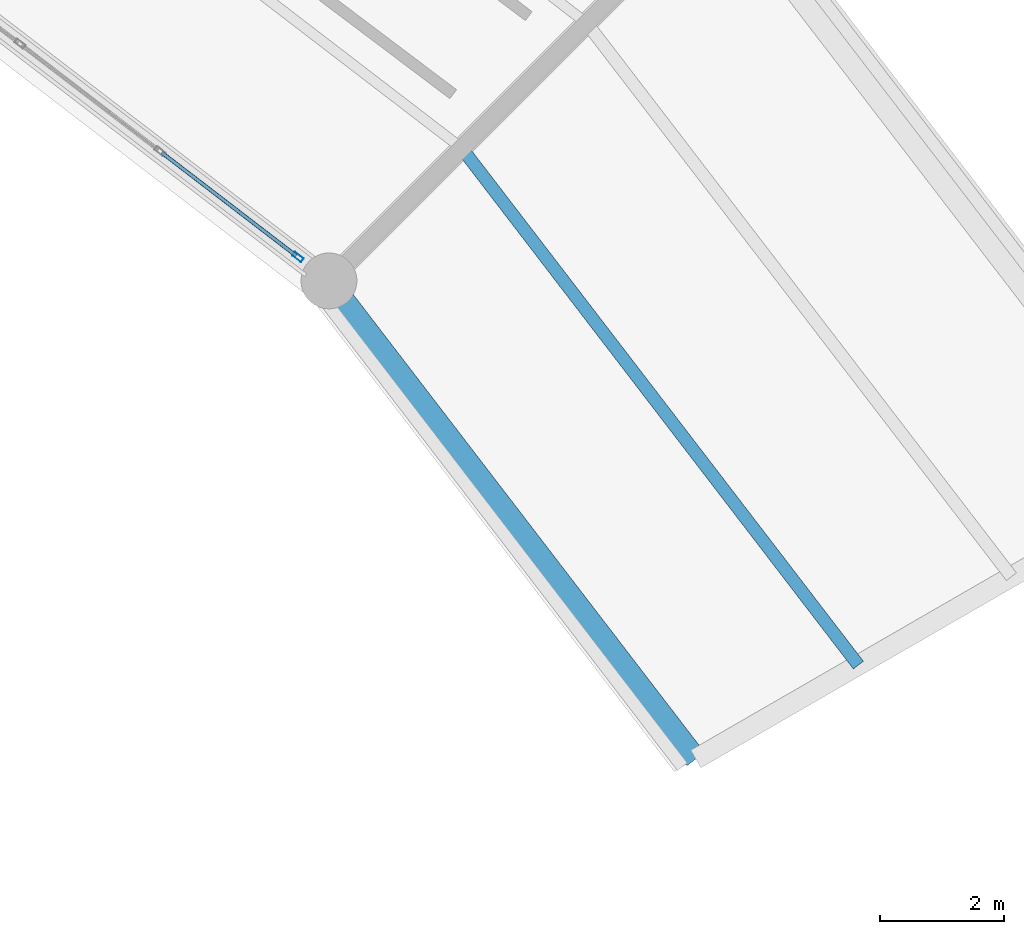
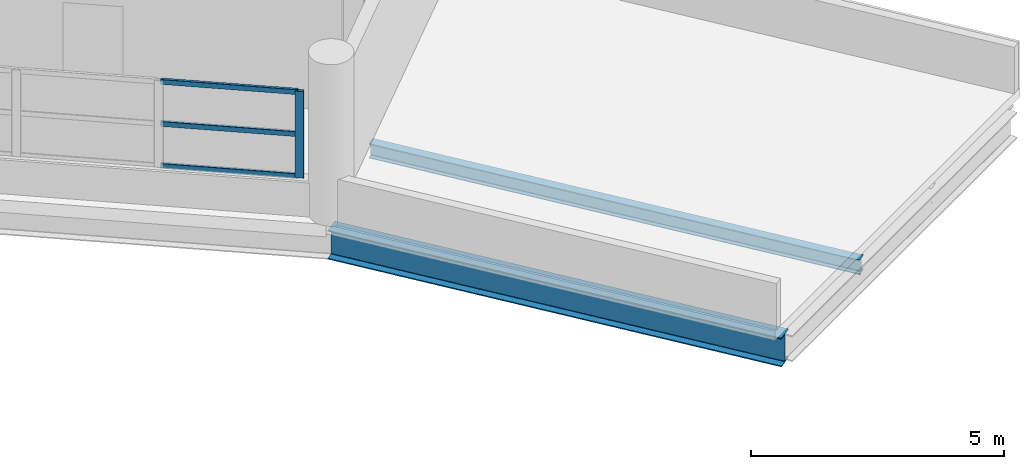
# One storey, part 46 of 88: 4 members, 2 beams, 1 element without a shape of its own.
"""IFC4 building model written with IfcOpenShell, lengths in metres."""

from ifc_helpers import new_model, si_unit, direction, frame, origin, origin_2d, place, context, subcontext, project, spatial, hollow_rectangle, i_section, extrude, material, layer, layer_set, material_profile, profile_set, type_object, element, aggregate, save


model = new_model("IFC4")

# Units and contexts
model_context = context("Model", 3, precision=1e-05, world=origin(), true_north=direction((0.0, 1.0)))
body_context = subcontext(model_context, "Body", "Model", "MODEL_VIEW")
ifc_project = project(units=[si_unit("LENGTHUNIT", "METRE"), si_unit("AREAUNIT", "SQUARE_METRE"), si_unit("VOLUMEUNIT", "CUBIC_METRE"), si_unit("PLANEANGLEUNIT", "RADIAN"), si_unit("MASSUNIT", "GRAM", prefix="KILO")], contexts=[model_context])

# Site, building, storey
site_placement = place(None, origin())
site = spatial("IfcSite", under=ifc_project, at=site_placement, CompositionType="ELEMENT")
building_placement = place(site_placement, origin())
building = spatial("IfcBuilding", under=site, at=building_placement, Name="Vespera Passage Community Centre", CompositionType="ELEMENT")
storey_placement = place(building_placement, frame((0.0, 0.0, 16.5)))
storey = spatial("IfcBuildingStorey", under=building, at=storey_placement, Name="L04", CompositionType="ELEMENT", Elevation=16.5)

# Beams
ifc_material_1 = material(Name="Steel ASTM A992 Grade 50", Category="steel")
ifc_material_profile_1 = material_profile(ifc_material_1, i_section(OverallWidth=0.2041015625, OverallDepth=0.3505859375, WebThickness=0.008544921875, FlangeThickness=0.01513671875, FilletRadius=0.01513671875, at=origin_2d()), Name="W14X48")
ifc_profile_set_1 = profile_set([ifc_material_profile_1], Name="Steel ASTM A992 Grade 50")
beam_type_1 = type_object("IfcBeamType", Name="BM-J-W14X48", PredefinedType="JOIST", material=ifc_profile_set_1)
beam_1_placement = place(storey_placement, frame((112.836669921875, 85.613037109375, -0.47509765625), z_axis=(-0.608757534533, 0.793356328613, 0.0), x_axis=(-0.793356328613, -0.608757534533, 0.0)))
element("IfcBeam", 1, at=beam_1_placement, inside=storey, type_object=beam_type_1, Name="V4 L04 Floor Joist 2.1", PredefinedType="JOIST", context=body_context, shape_type="SweptSolid", body=[
    extrude(i_section(OverallWidth=0.2041015625, OverallDepth=0.3505859375, WebThickness=0.008544921875, FlangeThickness=0.01513671875, FilletRadius=0.01513671875, at=origin_2d()), origin(), (0.0, 0.0, 1.0), 10.5009765625),
])
ifc_material_2 = material(Name="Steel ASTM A992 Grade 50", Category="steel")
ifc_material_profile_2 = material_profile(ifc_material_2, i_section(OverallWidth=0.3544921875, OverallDepth=0.695556640625, WebThickness=0.015380859375, FlangeThickness=0.024658203125, FilletRadius=0.01513671875, at=origin_2d()), Name="W27X146")
ifc_profile_set_2 = profile_set([ifc_material_profile_2], Name="Steel ASTM A992 Grade 50")
beam_type_2 = type_object("IfcBeamType", Name="BM-SP-W27X146E", PredefinedType="SPANDREL", material=ifc_profile_set_2)
beam_2_placement = place(storey_placement, frame((110.216064453125, 84.10009765625, -0.647705078125), z_axis=(-0.60875291963, 0.793359869694, 0.0), x_axis=(-0.793359869694, -0.60875291963, 0.0)))
element("IfcBeam", 2, at=beam_2_placement, inside=storey, type_object=beam_type_2, Name="V4 L04 Inner Spandrel 2", PredefinedType="SPANDREL", context=body_context, shape_type="SweptSolid", body=[
    extrude(i_section(OverallWidth=0.3544921875, OverallDepth=0.695556640625, WebThickness=0.015380859375, FlangeThickness=0.024658203125, FilletRadius=0.01513671875, at=origin_2d()), origin(), (0.0, 0.0, 1.0), 9.7109375),
])

# Curtain wall, members
ifc_material_3 = material(Name="Anodized aluminium 6063-T6", Category="aluminium")
ifc_layer = layer(ifc_material_3, 0.159912109375)
ifc_layer_set = layer_set([ifc_layer], Name="Anodized aluminium 6063-T6")
curtain_wall_type = type_object("IfcCurtainWallType", Name="CW-54E", PredefinedType="NOTDEFINED", material=ifc_layer_set)
curtain_wall_placement = place(storey_placement, origin())
curtain_wall = element("IfcCurtainWall", 3, at=curtain_wall_placement, inside=storey, type_object=curtain_wall_type, Name="V4 L04 Inner Court Curtain Wall 3", PredefinedType="NOTDEFINED")
ifc_material_4 = material(Name="Anodized aluminium 6063-T6", Category="aluminium")
ifc_material_profile_3 = material_profile(ifc_material_4, hollow_rectangle(XDim=0.074951171875, YDim=0.179931640625, WallThickness=0.0048828125, InnerFilletRadius=0.00244140625, OuterFilletRadius=0.0048828125, at=origin_2d()), Name="ALU180X75X5")
ifc_profile_set_3 = profile_set([ifc_material_profile_3], Name="Anodized aluminium 6063-T6")
member_type_1 = type_object("IfcMemberType", Name="MB-CWM-180E", PredefinedType="MULLION", material=ifc_profile_set_3)
member_1_placement = place(storey_placement, frame((103.803955078125, 92.188232421875, 0.820068359375), z_axis=(0.0, 0.0, 1.0), x_axis=(-0.608755087843, -0.793358205999, 0.0)))
member_1 = element("IfcMember", 4, at=member_1_placement, type_object=member_type_1, Name="CW-54E mullion 1", PredefinedType="MULLION", context=body_context, shape_type="SweptSolid", body=[
    extrude(hollow_rectangle(XDim=0.074951171875, YDim=0.179931640625, WallThickness=0.0048828125, InnerFilletRadius=0.00244140625, OuterFilletRadius=0.0048828125, at=origin_2d()), origin(), (0.0, 0.0, 1.0), 2.08935546875),
])
ifc_material_5 = material(Name="Anodized aluminium 6063-T6", Category="aluminium")
ifc_material_profile_4 = material_profile(ifc_material_5, hollow_rectangle(XDim=0.06005859375, YDim=0.1201171875, WallThickness=0.00390625, InnerFilletRadius=0.001953125, OuterFilletRadius=0.00390625, at=origin_2d()), Name="ALU120X60X4")
ifc_profile_set_4 = profile_set([ifc_material_profile_4], Name="Anodized aluminium 6063-T6")
member_type_2 = type_object("IfcMemberType", Name="MB-CWT-120E", PredefinedType="USERDEFINED", material=ifc_profile_set_4)
member_2_placement = place(storey_placement, frame((103.7744140625, 92.211181640625, 0.85009765625), z_axis=(-0.793371617318, 0.608737609183, 0.0), x_axis=(-0.608737609183, -0.793371617318, 0.0)))
member_2 = element("IfcMember", 5, at=member_2_placement, type_object=member_type_2, Name="CW-54E transom 1.1", ObjectType="TRANSOM", PredefinedType="USERDEFINED", context=body_context, shape_type="SweptSolid", body=[
    extrude(hollow_rectangle(XDim=0.06005859375, YDim=0.1201171875, WallThickness=0.00390625, InnerFilletRadius=0.001953125, OuterFilletRadius=0.00390625, at=origin_2d()), origin(), (0.0, 0.0, 1.0), 2.729248046875),
])
member_3_placement = place(storey_placement, frame((103.7744140625, 92.211181640625, 1.86474609375), z_axis=(-0.793371617318, 0.608737609183, 0.0), x_axis=(-0.608737609183, -0.793371617318, 0.0)))
member_3 = element("IfcMember", 6, at=member_3_placement, type_object=member_type_2, Name="CW-54E transom 1.2", ObjectType="TRANSOM", PredefinedType="USERDEFINED", context=body_context, shape_type="SweptSolid", body=[
    extrude(hollow_rectangle(XDim=0.06005859375, YDim=0.1201171875, WallThickness=0.00390625, InnerFilletRadius=0.001953125, OuterFilletRadius=0.00390625, at=origin_2d()), origin(), (0.0, 0.0, 1.0), 2.729248046875),
])
member_4_placement = place(storey_placement, frame((103.7744140625, 92.211181640625, 2.87939453125), z_axis=(-0.793371617318, 0.608737609183, 0.0), x_axis=(-0.608737609183, -0.793371617318, 0.0)))
member_4 = element("IfcMember", 7, at=member_4_placement, type_object=member_type_2, Name="CW-54E transom 1.3", ObjectType="TRANSOM", PredefinedType="USERDEFINED", context=body_context, shape_type="SweptSolid", body=[
    extrude(hollow_rectangle(XDim=0.06005859375, YDim=0.1201171875, WallThickness=0.00390625, InnerFilletRadius=0.001953125, OuterFilletRadius=0.00390625, at=origin_2d()), origin(), (0.0, 0.0, 1.0), 2.729248046875),
])
aggregate(curtain_wall, [member_1, member_2, member_3, member_4])

save(model, "model.ifc")
